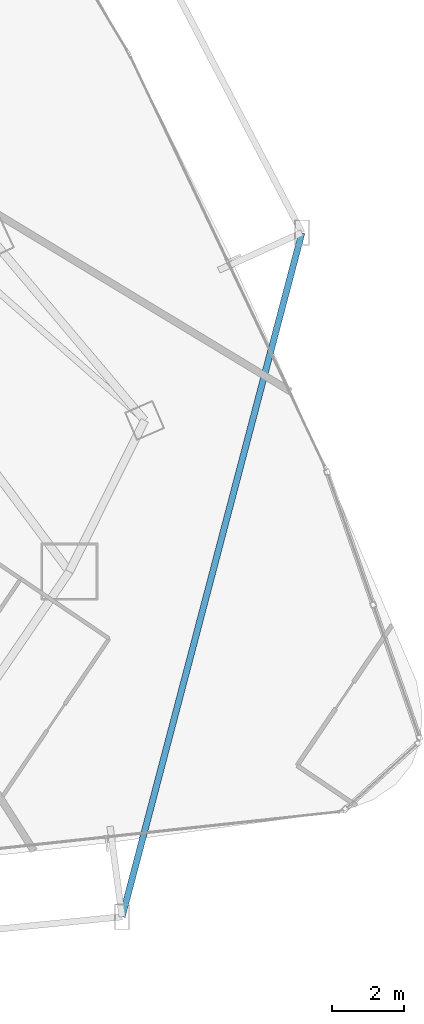
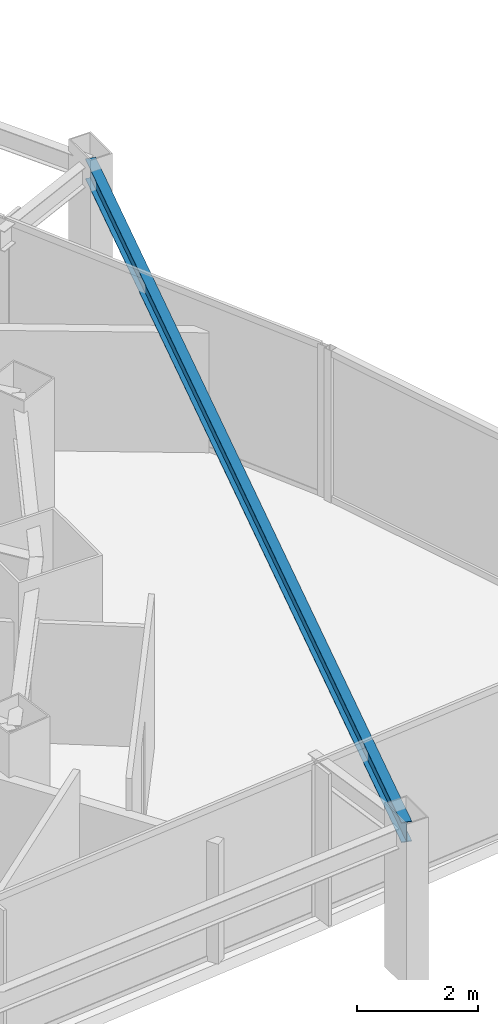
# One storey, part 17 of 38: 1 beam.
"""IFC4 building model written with IfcOpenShell, lengths in metres."""

from ifc_helpers import new_model, si_unit, direction, frame, origin, origin_2d, place, context, subcontext, project, spatial, i_section, extrude, material, material_profile, profile_set, type_object, element, save


model = new_model("IFC4")

# Units and contexts
model_context = context("Model", 3, precision=1e-05, world=origin(), true_north=direction((0.0, 1.0)))
body_context = subcontext(model_context, "Body", "Model", "MODEL_VIEW")
ifc_project = project(units=[si_unit("LENGTHUNIT", "METRE"), si_unit("AREAUNIT", "SQUARE_METRE"), si_unit("VOLUMEUNIT", "CUBIC_METRE"), si_unit("PLANEANGLEUNIT", "RADIAN"), si_unit("MASSUNIT", "GRAM", prefix="KILO")], contexts=[model_context])

# Site, building, storey
site_placement = place(None, origin())
site = spatial("IfcSite", under=ifc_project, at=site_placement, CompositionType="ELEMENT")
building_placement = place(site_placement, origin())
building = spatial("IfcBuilding", under=site, at=building_placement, Name="Orvanel Arch Residences", CompositionType="ELEMENT")
storey_placement = place(building_placement, frame((0.0, 0.0, 43.39990234375)))
storey = spatial("IfcBuildingStorey", under=building, at=storey_placement, Name="L11", CompositionType="ELEMENT", Elevation=43.39990234375)

# Beam
ifc_material = material(Name="Structural steel AS/NZS 3679.1 Grade 300 (300 MPa)", Category="steel")
ifc_material_profile = material_profile(ifc_material, i_section(OverallWidth=0.177978515625, OverallDepth=0.406005859375, WebThickness=0.0078125, FlangeThickness=0.0126953125, at=origin_2d()), Name="410UB59.7")
ifc_profile_set = profile_set([ifc_material_profile], Name="Structural steel AS/NZS 3679.1 Grade 300 (300 MPa)")
beam_type = type_object("IfcBeamType", Name="OB-410UB-EXT", PredefinedType="SPANDREL", material=ifc_profile_set)
beam_placement = place(storey_placement, frame((53.27587890625, 0.699951171875, 2.857177734375), z_axis=(0.254167617765, 0.967160184292, 0.0), x_axis=(-0.967160184292, 0.254167617765, 0.0)))
element("IfcBeam", 1, at=beam_placement, inside=storey, type_object=beam_type, Name="L11 Outer Perimeter Floor Ring Beam 08", PredefinedType="SPANDREL", context=body_context, shape_type="SweptSolid", body=[
    extrude(i_section(OverallWidth=0.177978515625, OverallDepth=0.406005859375, WebThickness=0.0078125, FlangeThickness=0.0126953125, at=origin_2d()), origin(), (0.0, 0.0, 1.0), 19.778564453125),
])

save(model, "model.ifc")
